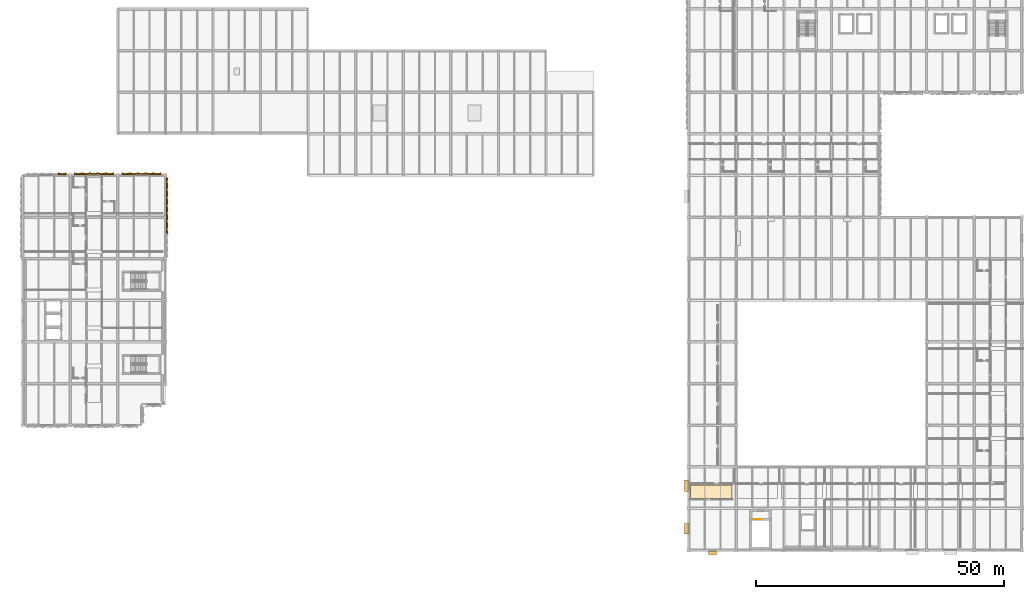
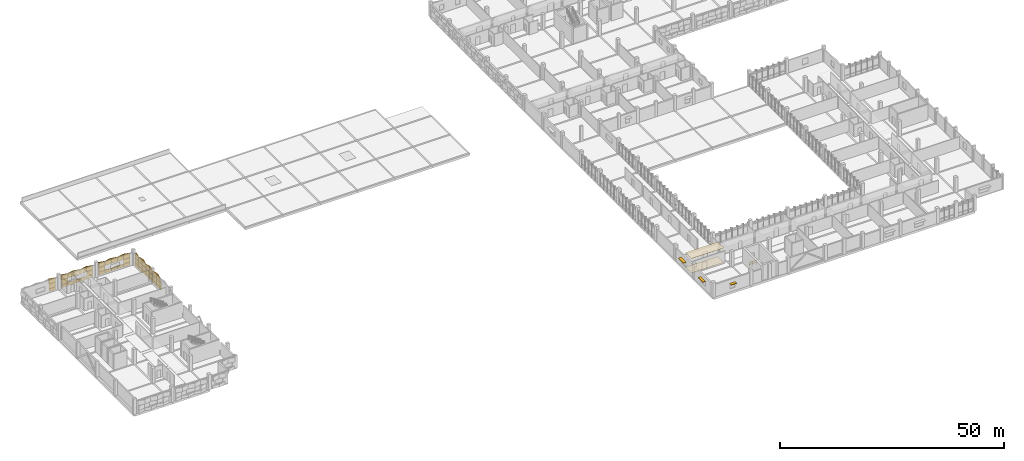
# One storey, part 51 of 57: 50 coverings, 3 shading devices, 1 railing.
"""IFC4 building model written with IfcOpenShell, lengths in metres."""

from ifc_helpers import new_model, si_unit, direction, frame, origin, origin_2d, place, context, subcontext, project, spatial, polyline, rectangle, circle, outline, extrude, material, layer, layer_set, type_object, element, save


model = new_model("IFC4")

# Units and contexts
model_context = context("Model", 3, precision=1e-05, world=origin(), true_north=direction((0.0, 1.0)))
body_context = subcontext(model_context, "Body", "Model", "MODEL_VIEW")
ifc_project = project(units=[si_unit("LENGTHUNIT", "METRE"), si_unit("AREAUNIT", "SQUARE_METRE"), si_unit("VOLUMEUNIT", "CUBIC_METRE"), si_unit("PLANEANGLEUNIT", "RADIAN"), si_unit("MASSUNIT", "GRAM", prefix="KILO")], contexts=[model_context])

# Site, building, storey
site_placement = place(None, origin())
site = spatial("IfcSite", under=ifc_project, at=site_placement, CompositionType="ELEMENT")
building_placement = place(site_placement, origin())
building = spatial("IfcBuilding", under=site, at=building_placement, Name="Oolite Switchyard Hospital", CompositionType="ELEMENT")
storey_placement = place(building_placement, frame((0.0, 0.0, 17.800048828125)))
storey = spatial("IfcBuildingStorey", under=building, at=storey_placement, Name="L04", CompositionType="ELEMENT", Elevation=17.800048828125)

# Coverings
ifc_material_1 = material(Name="Hygienic washable mineral-fibre acoustic ceiling")
ifc_layer_1 = layer(ifc_material_1, 0.0400390625)
ifc_layer_set_1 = layer_set([ifc_layer_1], Name="COV-CEIL-AC60")
covering_type_1 = type_object("IfcCoveringType", Name="COV-CEIL-AC60", PredefinedType="CEILING", material=ifc_layer_set_1)
covering_1_placement = place(storey_placement, frame((0.0, 0.0, 3.925048828125)))
element("IfcCovering", 1, at=covering_1_placement, inside=storey, type_object=covering_type_1, Name="L04 Outpatient Oncology Infusion South Corridor Ceiling 1", PredefinedType="CEILING", context=body_context, shape_type="SweptSolid", body=[
    extrude(outline(polyline([(134.800048828125, 18.85009765625), (143.14306640625, 18.85009765625), (143.14306640625, 21.550048828125), (134.800048828125, 21.550048828125), (134.800048828125, 18.85009765625)])), origin(), (0.0, 0.0, 1.0), 0.039794921875),
])
ifc_material_2 = material(Name="Precast oolitic limestone architectural concrete C40/50", Category="masonry")
covering_type_2 = type_object("IfcCoveringType", Name="COV-CHEV-WARM", PredefinedType="CLADDING", material=ifc_material_2)
covering_2_placement = place(storey_placement, frame((7.199951171875, 84.139892578125, 0.050048828125), z_axis=(0.0, 0.0, 1.0), x_axis=(1.0, 0.0, 0.0)))
element("IfcCovering", 2, at=covering_2_placement, inside=storey, type_object=covering_type_2, Name="L04 Chevron Precast Oolite Panel 673", PredefinedType="CLADDING", context=body_context, shape_type="SweptSolid", body=[
    extrude(outline(polyline([(0.0, 0.0), (1.60009765625, 0.0), (1.60009765625, 0.385009765625), (0.0, 0.044921875), (0.0, 0.0)])), origin(), (0.0, 0.0, 1.0), 0.760009765625),
])
covering_3_placement = place(storey_placement, frame((7.199951171875, 84.139892578125, 2.08984375), z_axis=(0.0, 0.0, 1.0), x_axis=(1.0, 0.0, 0.0)))
element("IfcCovering", 3, at=covering_3_placement, inside=storey, type_object=covering_type_2, Name="L04 Chevron Precast Oolite Panel 674", PredefinedType="CLADDING", context=body_context, shape_type="SweptSolid", body=[
    extrude(outline(polyline([(0.0, 0.0), (1.60009765625, 0.0), (1.60009765625, 0.044921875), (0.0, 0.385009765625), (0.0, 0.0)])), origin(), (0.0, 0.0, 1.0), 1.25),
])
covering_4_placement = place(storey_placement, frame((7.199951171875, 84.139892578125, 0.829833984375), z_axis=(0.0, 0.0, 1.0), x_axis=(1.0, 0.0, 0.0)))
element("IfcCovering", 4, at=covering_4_placement, inside=storey, type_object=covering_type_2, Name="L04 Chevron Precast Oolite Panel 675", PredefinedType="CLADDING", context=body_context, shape_type="SweptSolid", body=[
    extrude(outline(polyline([(0.0, 0.0), (1.60009765625, 0.0), (1.60009765625, 0.385009765625), (0.0, 0.044921875), (0.0, 0.0)])), origin(), (0.0, 0.0, 1.0), 1.240234375),
])
covering_5_placement = place(storey_placement, frame((10.39990234375, 84.14990234375, 0.050048828125), z_axis=(0.0, 0.0, 1.0), x_axis=(1.0, 0.0, 0.0)))
element("IfcCovering", 5, at=covering_5_placement, inside=storey, type_object=covering_type_2, Name="L04 Chevron Precast Oolite Panel 676", PredefinedType="CLADDING", context=body_context, shape_type="SweptSolid", body=[
    extrude(outline(polyline([(0.0, 0.0), (1.60009765625, 0.0), (1.60009765625, 0.385009765625), (0.0, 0.044921875), (0.0, 0.0)])), origin(), (0.0, 0.0, 1.0), 0.760009765625),
])
covering_6_placement = place(storey_placement, frame((10.39990234375, 84.14990234375, 2.08984375), z_axis=(0.0, 0.0, 1.0), x_axis=(1.0, 0.0, 0.0)))
element("IfcCovering", 6, at=covering_6_placement, inside=storey, type_object=covering_type_2, Name="L04 Chevron Precast Oolite Panel 677", PredefinedType="CLADDING", context=body_context, shape_type="SweptSolid", body=[
    extrude(outline(polyline([(0.0, 0.0), (1.60009765625, 0.0), (1.60009765625, 0.044921875), (0.0, 0.385009765625), (0.0, 0.0)])), origin(), (0.0, 0.0, 1.0), 1.25),
])
covering_7_placement = place(storey_placement, frame((10.39990234375, 84.14990234375, 0.829833984375), z_axis=(0.0, 0.0, 1.0), x_axis=(1.0, 0.0, 0.0)))
element("IfcCovering", 7, at=covering_7_placement, inside=storey, type_object=covering_type_2, Name="L04 Chevron Precast Oolite Panel 678", PredefinedType="CLADDING", context=body_context, shape_type="SweptSolid", body=[
    extrude(outline(polyline([(0.0, 0.0), (1.60009765625, 0.0), (1.60009765625, 0.385009765625), (0.0, 0.044921875), (0.0, 0.0)])), origin(), (0.0, 0.0, 1.0), 1.240234375),
])
covering_8_placement = place(storey_placement, frame((12.0, 84.14990234375, 0.050048828125), z_axis=(0.0, 0.0, 1.0), x_axis=(1.0, 0.0, 0.0)))
element("IfcCovering", 8, at=covering_8_placement, inside=storey, type_object=covering_type_2, Name="L04 Chevron Precast Oolite Panel 679", PredefinedType="CLADDING", context=body_context, shape_type="SweptSolid", body=[
    extrude(outline(polyline([(0.0, 0.0), (1.60009765625, 0.0), (1.60009765625, 0.044921875), (0.0, 0.385009765625), (0.0, 0.0)])), origin(), (0.0, 0.0, 1.0), 0.760009765625),
])
covering_9_placement = place(storey_placement, frame((12.0, 84.14990234375, 2.08984375), z_axis=(0.0, 0.0, 1.0), x_axis=(1.0, 0.0, 0.0)))
element("IfcCovering", 9, at=covering_9_placement, inside=storey, type_object=covering_type_2, Name="L04 Chevron Precast Oolite Panel 680", PredefinedType="CLADDING", context=body_context, shape_type="SweptSolid", body=[
    extrude(outline(polyline([(0.0, 0.0), (1.60009765625, 0.0), (1.60009765625, 0.385009765625), (0.0, 0.044921875), (0.0, 0.0)])), origin(), (0.0, 0.0, 1.0), 1.25),
])
covering_10_placement = place(storey_placement, frame((13.60009765625, 84.14990234375, 0.050048828125), z_axis=(0.0, 0.0, 1.0), x_axis=(1.0, 0.0, 0.0)))
element("IfcCovering", 10, at=covering_10_placement, inside=storey, type_object=covering_type_2, Name="L04 Chevron Precast Oolite Panel 681", PredefinedType="CLADDING", context=body_context, shape_type="SweptSolid", body=[
    extrude(outline(polyline([(0.0, 0.0), (1.599853515625, 0.0), (1.599853515625, 0.385009765625), (0.0, 0.044921875), (0.0, 0.0)])), origin(), (0.0, 0.0, 1.0), 0.760009765625),
])
covering_11_placement = place(storey_placement, frame((13.60009765625, 84.14990234375, 2.08984375), z_axis=(0.0, 0.0, 1.0), x_axis=(1.0, 0.0, 0.0)))
element("IfcCovering", 11, at=covering_11_placement, inside=storey, type_object=covering_type_2, Name="L04 Chevron Precast Oolite Panel 682", PredefinedType="CLADDING", context=body_context, shape_type="SweptSolid", body=[
    extrude(outline(polyline([(0.0, 0.0), (1.599853515625, 0.0), (1.599853515625, 0.044921875), (0.0, 0.385009765625), (0.0, 0.0)])), origin(), (0.0, 0.0, 1.0), 1.25),
])
covering_12_placement = place(storey_placement, frame((15.199951171875, 84.14990234375, 0.050048828125), z_axis=(0.0, 0.0, 1.0), x_axis=(1.0, 0.0, 0.0)))
element("IfcCovering", 12, at=covering_12_placement, inside=storey, type_object=covering_type_2, Name="L04 Chevron Precast Oolite Panel 683", PredefinedType="CLADDING", context=body_context, shape_type="SweptSolid", body=[
    extrude(outline(polyline([(0.0, 0.0), (1.60009765625, 0.0), (1.60009765625, 0.044921875), (0.0, 0.385009765625), (0.0, 0.0)])), origin(), (0.0, 0.0, 1.0), 0.760009765625),
])
covering_13_placement = place(storey_placement, frame((15.199951171875, 84.14990234375, 2.08984375), z_axis=(0.0, 0.0, 1.0), x_axis=(1.0, 0.0, 0.0)))
element("IfcCovering", 13, at=covering_13_placement, inside=storey, type_object=covering_type_2, Name="L04 Chevron Precast Oolite Panel 684", PredefinedType="CLADDING", context=body_context, shape_type="SweptSolid", body=[
    extrude(outline(polyline([(0.0, 0.0), (1.60009765625, 0.0), (1.60009765625, 0.385009765625), (0.0, 0.044921875), (0.0, 0.0)])), origin(), (0.0, 0.0, 1.0), 1.25),
])
covering_14_placement = place(storey_placement, frame((16.800048828125, 84.14990234375, 0.050048828125), z_axis=(0.0, 0.0, 1.0), x_axis=(1.0, 0.0, 0.0)))
element("IfcCovering", 14, at=covering_14_placement, inside=storey, type_object=covering_type_2, Name="L04 Chevron Precast Oolite Panel 685", PredefinedType="CLADDING", context=body_context, shape_type="SweptSolid", body=[
    extrude(outline(polyline([(0.0, 0.0), (1.599853515625, 0.0), (1.599853515625, 0.385009765625), (0.0, 0.044921875), (0.0, 0.0)])), origin(), (0.0, 0.0, 1.0), 0.760009765625),
])
covering_15_placement = place(storey_placement, frame((16.800048828125, 84.14990234375, 2.08984375), z_axis=(0.0, 0.0, 1.0), x_axis=(1.0, 0.0, 0.0)))
element("IfcCovering", 15, at=covering_15_placement, inside=storey, type_object=covering_type_2, Name="L04 Chevron Precast Oolite Panel 686", PredefinedType="CLADDING", context=body_context, shape_type="SweptSolid", body=[
    extrude(outline(polyline([(0.0, 0.0), (1.599853515625, 0.0), (1.599853515625, 0.044921875), (0.0, 0.385009765625), (0.0, 0.0)])), origin(), (0.0, 0.0, 1.0), 1.25),
])
covering_16_placement = place(storey_placement, frame((16.800048828125, 84.14990234375, 0.829833984375), z_axis=(0.0, 0.0, 1.0), x_axis=(1.0, 0.0, 0.0)))
element("IfcCovering", 16, at=covering_16_placement, inside=storey, type_object=covering_type_2, Name="L04 Chevron Precast Oolite Panel 687", PredefinedType="CLADDING", context=body_context, shape_type="SweptSolid", body=[
    extrude(outline(polyline([(0.0, 0.0), (1.599853515625, 0.0), (1.599853515625, 0.385009765625), (0.0, 0.044921875), (0.0, 0.0)])), origin(), (0.0, 0.0, 1.0), 1.240234375),
])
covering_17_placement = place(storey_placement, frame((20.0, 84.159912109375, 0.050048828125), z_axis=(0.0, 0.0, 1.0), x_axis=(1.0, 0.0, 0.0)))
element("IfcCovering", 17, at=covering_17_placement, inside=storey, type_object=covering_type_2, Name="L04 Chevron Precast Oolite Panel 688", PredefinedType="CLADDING", context=body_context, shape_type="SweptSolid", body=[
    extrude(outline(polyline([(0.0, 0.0), (1.60009765625, 0.0), (1.60009765625, 0.385009765625), (0.0, 0.044921875), (0.0, 0.0)])), origin(), (0.0, 0.0, 1.0), 0.760009765625),
])
covering_18_placement = place(storey_placement, frame((20.0, 84.159912109375, 2.08984375), z_axis=(0.0, 0.0, 1.0), x_axis=(1.0, 0.0, 0.0)))
element("IfcCovering", 18, at=covering_18_placement, inside=storey, type_object=covering_type_2, Name="L04 Chevron Precast Oolite Panel 689", PredefinedType="CLADDING", context=body_context, shape_type="SweptSolid", body=[
    extrude(outline(polyline([(0.0, 0.0), (1.60009765625, 0.0), (1.60009765625, 0.044921875), (0.0, 0.385009765625), (0.0, 0.0)])), origin(), (0.0, 0.0, 1.0), 1.25),
])
covering_19_placement = place(storey_placement, frame((20.0, 84.159912109375, 0.829833984375), z_axis=(0.0, 0.0, 1.0), x_axis=(1.0, 0.0, 0.0)))
element("IfcCovering", 19, at=covering_19_placement, inside=storey, type_object=covering_type_2, Name="L04 Chevron Precast Oolite Panel 690", PredefinedType="CLADDING", context=body_context, shape_type="SweptSolid", body=[
    extrude(outline(polyline([(0.0, 0.0), (1.60009765625, 0.0), (1.60009765625, 0.385009765625), (0.0, 0.044921875), (0.0, 0.0)])), origin(), (0.0, 0.0, 1.0), 1.240234375),
])
covering_20_placement = place(storey_placement, frame((21.60009765625, 84.159912109375, 0.050048828125), z_axis=(0.0, 0.0, 1.0), x_axis=(1.0, 0.0, 0.0)))
element("IfcCovering", 20, at=covering_20_placement, inside=storey, type_object=covering_type_2, Name="L04 Chevron Precast Oolite Panel 691", PredefinedType="CLADDING", context=body_context, shape_type="SweptSolid", body=[
    extrude(outline(polyline([(0.0, 0.0), (1.599853515625, 0.0), (1.599853515625, 0.044921875), (0.0, 0.385009765625), (0.0, 0.0)])), origin(), (0.0, 0.0, 1.0), 0.760009765625),
])
covering_21_placement = place(storey_placement, frame((21.60009765625, 84.159912109375, 2.08984375), z_axis=(0.0, 0.0, 1.0), x_axis=(1.0, 0.0, 0.0)))
element("IfcCovering", 21, at=covering_21_placement, inside=storey, type_object=covering_type_2, Name="L04 Chevron Precast Oolite Panel 692", PredefinedType="CLADDING", context=body_context, shape_type="SweptSolid", body=[
    extrude(outline(polyline([(0.0, 0.0), (1.599853515625, 0.0), (1.599853515625, 0.385009765625), (0.0, 0.044921875), (0.0, 0.0)])), origin(), (0.0, 0.0, 1.0), 1.25),
])
covering_22_placement = place(storey_placement, frame((23.199951171875, 84.159912109375, 0.050048828125), z_axis=(0.0, 0.0, 1.0), x_axis=(1.0, 0.0, 0.0)))
element("IfcCovering", 22, at=covering_22_placement, inside=storey, type_object=covering_type_2, Name="L04 Chevron Precast Oolite Panel 693", PredefinedType="CLADDING", context=body_context, shape_type="SweptSolid", body=[
    extrude(outline(polyline([(0.0, 0.0), (1.60009765625, 0.0), (1.60009765625, 0.385009765625), (0.0, 0.044921875), (0.0, 0.0)])), origin(), (0.0, 0.0, 1.0), 0.760009765625),
])
covering_23_placement = place(storey_placement, frame((23.199951171875, 84.159912109375, 2.08984375), z_axis=(0.0, 0.0, 1.0), x_axis=(1.0, 0.0, 0.0)))
element("IfcCovering", 23, at=covering_23_placement, inside=storey, type_object=covering_type_2, Name="L04 Chevron Precast Oolite Panel 694", PredefinedType="CLADDING", context=body_context, shape_type="SweptSolid", body=[
    extrude(outline(polyline([(0.0, 0.0), (1.60009765625, 0.0), (1.60009765625, 0.044921875), (0.0, 0.385009765625), (0.0, 0.0)])), origin(), (0.0, 0.0, 1.0), 1.25),
])
covering_24_placement = place(storey_placement, frame((24.800048828125, 84.159912109375, 0.050048828125), z_axis=(0.0, 0.0, 1.0), x_axis=(1.0, 0.0, 0.0)))
element("IfcCovering", 24, at=covering_24_placement, inside=storey, type_object=covering_type_2, Name="L04 Chevron Precast Oolite Panel 695", PredefinedType="CLADDING", context=body_context, shape_type="SweptSolid", body=[
    extrude(outline(polyline([(0.0, 0.0), (1.599853515625, 0.0), (1.599853515625, 0.044921875), (0.0, 0.385009765625), (0.0, 0.0)])), origin(), (0.0, 0.0, 1.0), 0.760009765625),
])
covering_25_placement = place(storey_placement, frame((24.800048828125, 84.159912109375, 2.08984375), z_axis=(0.0, 0.0, 1.0), x_axis=(1.0, 0.0, 0.0)))
element("IfcCovering", 25, at=covering_25_placement, inside=storey, type_object=covering_type_2, Name="L04 Chevron Precast Oolite Panel 696", PredefinedType="CLADDING", context=body_context, shape_type="SweptSolid", body=[
    extrude(outline(polyline([(0.0, 0.0), (1.599853515625, 0.0), (1.599853515625, 0.385009765625), (0.0, 0.044921875), (0.0, 0.0)])), origin(), (0.0, 0.0, 1.0), 1.25),
])
covering_26_placement = place(storey_placement, frame((26.39990234375, 84.159912109375, 0.050048828125), z_axis=(0.0, 0.0, 1.0), x_axis=(1.0, 0.0, 0.0)))
element("IfcCovering", 26, at=covering_26_placement, inside=storey, type_object=covering_type_2, Name="L04 Chevron Precast Oolite Panel 697", PredefinedType="CLADDING", context=body_context, shape_type="SweptSolid", body=[
    extrude(outline(polyline([(0.0, 0.0), (1.60009765625, 0.0), (1.60009765625, 0.385009765625), (0.0, 0.044921875), (0.0, 0.0)])), origin(), (0.0, 0.0, 1.0), 0.760009765625),
])
covering_27_placement = place(storey_placement, frame((26.39990234375, 84.159912109375, 2.08984375), z_axis=(0.0, 0.0, 1.0), x_axis=(1.0, 0.0, 0.0)))
element("IfcCovering", 27, at=covering_27_placement, inside=storey, type_object=covering_type_2, Name="L04 Chevron Precast Oolite Panel 698", PredefinedType="CLADDING", context=body_context, shape_type="SweptSolid", body=[
    extrude(outline(polyline([(0.0, 0.0), (1.60009765625, 0.0), (1.60009765625, 0.044921875), (0.0, 0.385009765625), (0.0, 0.0)])), origin(), (0.0, 0.0, 1.0), 1.25),
])
covering_28_placement = place(storey_placement, frame((26.39990234375, 84.159912109375, 0.829833984375), z_axis=(0.0, 0.0, 1.0), x_axis=(1.0, 0.0, 0.0)))
element("IfcCovering", 28, at=covering_28_placement, inside=storey, type_object=covering_type_2, Name="L04 Chevron Precast Oolite Panel 699", PredefinedType="CLADDING", context=body_context, shape_type="SweptSolid", body=[
    extrude(outline(polyline([(0.0, 0.0), (1.60009765625, 0.0), (1.60009765625, 0.385009765625), (0.0, 0.044921875), (0.0, 0.0)])), origin(), (0.0, 0.0, 1.0), 1.240234375),
])
covering_29_placement = place(storey_placement, frame((28.949951171875, 83.52001953125, 0.050048828125), z_axis=(0.0, 0.0, 1.0), x_axis=(0.0, -1.0, 0.0)))
element("IfcCovering", 29, at=covering_29_placement, inside=storey, type_object=covering_type_2, Name="L04 Chevron Precast Oolite Panel 838", PredefinedType="CLADDING", context=body_context, shape_type="SweptSolid", body=[
    extrude(outline(polyline([(0.0, 0.0), (1.60009765625, 0.0), (1.60009765625, 0.385009765625), (0.0, 0.044921875), (0.0, 0.0)])), origin(), (0.0, 0.0, 1.0), 0.760009765625),
])
covering_30_placement = place(storey_placement, frame((28.949951171875, 83.52001953125, 2.08984375), z_axis=(0.0, 0.0, 1.0), x_axis=(0.0, -1.0, 0.0)))
element("IfcCovering", 30, at=covering_30_placement, inside=storey, type_object=covering_type_2, Name="L04 Chevron Precast Oolite Panel 839", PredefinedType="CLADDING", context=body_context, shape_type="SweptSolid", body=[
    extrude(outline(polyline([(0.0, 0.0), (1.60009765625, 0.0), (1.60009765625, 0.044921875), (0.0, 0.385009765625), (0.0, 0.0)])), origin(), (0.0, 0.0, 1.0), 1.25),
])
covering_31_placement = place(storey_placement, frame((28.949951171875, 83.52001953125, 0.829833984375), z_axis=(0.0, 0.0, 1.0), x_axis=(0.0, -1.0, 0.0)))
element("IfcCovering", 31, at=covering_31_placement, inside=storey, type_object=covering_type_2, Name="L04 Chevron Precast Oolite Panel 840", PredefinedType="CLADDING", context=body_context, shape_type="SweptSolid", body=[
    extrude(outline(polyline([(0.0, 0.0), (1.60009765625, 0.0), (1.60009765625, 0.385009765625), (0.0, 0.044921875), (0.0, 0.0)])), origin(), (0.0, 0.0, 1.0), 1.240234375),
])
covering_32_placement = place(storey_placement, frame((28.949951171875, 81.919921875, 0.050048828125), z_axis=(0.0, 0.0, 1.0), x_axis=(0.0, -1.0, 0.0)))
element("IfcCovering", 32, at=covering_32_placement, inside=storey, type_object=covering_type_2, Name="L04 Chevron Precast Oolite Panel 841", PredefinedType="CLADDING", context=body_context, shape_type="SweptSolid", body=[
    extrude(outline(polyline([(0.0, 0.0), (1.599853515625, 0.0), (1.599853515625, 0.044921875), (0.0, 0.385009765625), (0.0, 0.0)])), origin(), (0.0, 0.0, 1.0), 0.760009765625),
])
covering_33_placement = place(storey_placement, frame((28.949951171875, 81.919921875, 2.08984375), z_axis=(0.0, 0.0, 1.0), x_axis=(0.0, -1.0, 0.0)))
element("IfcCovering", 33, at=covering_33_placement, inside=storey, type_object=covering_type_2, Name="L04 Chevron Precast Oolite Panel 842", PredefinedType="CLADDING", context=body_context, shape_type="SweptSolid", body=[
    extrude(outline(polyline([(0.0, 0.0), (1.599853515625, 0.0), (1.599853515625, 0.385009765625), (0.0, 0.044921875), (0.0, 0.0)])), origin(), (0.0, 0.0, 1.0), 1.25),
])
covering_34_placement = place(storey_placement, frame((28.949951171875, 81.919921875, 0.829833984375), z_axis=(0.0, 0.0, 1.0), x_axis=(0.0, -1.0, 0.0)))
element("IfcCovering", 34, at=covering_34_placement, inside=storey, type_object=covering_type_2, Name="L04 Chevron Precast Oolite Panel 843", PredefinedType="CLADDING", context=body_context, shape_type="SweptSolid", body=[
    extrude(outline(polyline([(0.0, 0.0), (1.599853515625, 0.0), (1.599853515625, 0.044921875), (0.0, 0.385009765625), (0.0, 0.0)])), origin(), (0.0, 0.0, 1.0), 1.240234375),
])
covering_35_placement = place(storey_placement, frame((28.949951171875, 80.320068359375, 0.050048828125), z_axis=(0.0, 0.0, 1.0), x_axis=(0.0, -1.0, 0.0)))
element("IfcCovering", 35, at=covering_35_placement, inside=storey, type_object=covering_type_2, Name="L04 Chevron Precast Oolite Panel 844", PredefinedType="CLADDING", context=body_context, shape_type="SweptSolid", body=[
    extrude(outline(polyline([(0.0, 0.0), (1.60009765625, 0.0), (1.60009765625, 0.385009765625), (0.0, 0.044921875), (0.0, 0.0)])), origin(), (0.0, 0.0, 1.0), 0.760009765625),
])
covering_36_placement = place(storey_placement, frame((28.949951171875, 80.320068359375, 2.08984375), z_axis=(0.0, 0.0, 1.0), x_axis=(0.0, -1.0, 0.0)))
element("IfcCovering", 36, at=covering_36_placement, inside=storey, type_object=covering_type_2, Name="L04 Chevron Precast Oolite Panel 845", PredefinedType="CLADDING", context=body_context, shape_type="SweptSolid", body=[
    extrude(outline(polyline([(0.0, 0.0), (1.60009765625, 0.0), (1.60009765625, 0.044921875), (0.0, 0.385009765625), (0.0, 0.0)])), origin(), (0.0, 0.0, 1.0), 1.25),
])
covering_37_placement = place(storey_placement, frame((28.949951171875, 80.320068359375, 0.829833984375), z_axis=(0.0, 0.0, 1.0), x_axis=(0.0, -1.0, 0.0)))
element("IfcCovering", 37, at=covering_37_placement, inside=storey, type_object=covering_type_2, Name="L04 Chevron Precast Oolite Panel 846", PredefinedType="CLADDING", context=body_context, shape_type="SweptSolid", body=[
    extrude(outline(polyline([(0.0, 0.0), (1.60009765625, 0.0), (1.60009765625, 0.385009765625), (0.0, 0.044921875), (0.0, 0.0)])), origin(), (0.0, 0.0, 1.0), 1.240234375),
])
covering_38_placement = place(storey_placement, frame((28.949951171875, 78.719970703125, 0.050048828125), z_axis=(0.0, 0.0, 1.0), x_axis=(0.0, -1.0, 0.0)))
element("IfcCovering", 38, at=covering_38_placement, inside=storey, type_object=covering_type_2, Name="L04 Chevron Precast Oolite Panel 847", PredefinedType="CLADDING", context=body_context, shape_type="SweptSolid", body=[
    extrude(outline(polyline([(0.0, 0.0), (1.599853515625, 0.0), (1.599853515625, 0.044921875), (0.0, 0.385009765625), (0.0, 0.0)])), origin(), (0.0, 0.0, 1.0), 0.760009765625),
])
covering_39_placement = place(storey_placement, frame((28.949951171875, 78.719970703125, 2.08984375), z_axis=(0.0, 0.0, 1.0), x_axis=(0.0, -1.0, 0.0)))
element("IfcCovering", 39, at=covering_39_placement, inside=storey, type_object=covering_type_2, Name="L04 Chevron Precast Oolite Panel 848", PredefinedType="CLADDING", context=body_context, shape_type="SweptSolid", body=[
    extrude(outline(polyline([(0.0, 0.0), (1.599853515625, 0.0), (1.599853515625, 0.385009765625), (0.0, 0.044921875), (0.0, 0.0)])), origin(), (0.0, 0.0, 1.0), 1.25),
])
covering_40_placement = place(storey_placement, frame((28.949951171875, 78.719970703125, 0.829833984375), z_axis=(0.0, 0.0, 1.0), x_axis=(0.0, -1.0, 0.0)))
element("IfcCovering", 40, at=covering_40_placement, inside=storey, type_object=covering_type_2, Name="L04 Chevron Precast Oolite Panel 849", PredefinedType="CLADDING", context=body_context, shape_type="SweptSolid", body=[
    extrude(outline(polyline([(0.0, 0.0), (1.599853515625, 0.0), (1.599853515625, 0.044921875), (0.0, 0.385009765625), (0.0, 0.0)])), origin(), (0.0, 0.0, 1.0), 1.240234375),
])
covering_41_placement = place(storey_placement, frame((28.949951171875, 77.1201171875, 0.050048828125), z_axis=(0.0, 0.0, 1.0), x_axis=(0.0, -1.0, 0.0)))
element("IfcCovering", 41, at=covering_41_placement, inside=storey, type_object=covering_type_2, Name="L04 Chevron Precast Oolite Panel 850", PredefinedType="CLADDING", context=body_context, shape_type="SweptSolid", body=[
    extrude(outline(polyline([(0.0, 0.0), (1.60009765625, 0.0), (1.60009765625, 0.385009765625), (0.0, 0.044921875), (0.0, 0.0)])), origin(), (0.0, 0.0, 1.0), 0.760009765625),
])
covering_42_placement = place(storey_placement, frame((28.949951171875, 77.1201171875, 2.08984375), z_axis=(0.0, 0.0, 1.0), x_axis=(0.0, -1.0, 0.0)))
element("IfcCovering", 42, at=covering_42_placement, inside=storey, type_object=covering_type_2, Name="L04 Chevron Precast Oolite Panel 851", PredefinedType="CLADDING", context=body_context, shape_type="SweptSolid", body=[
    extrude(outline(polyline([(0.0, 0.0), (1.60009765625, 0.0), (1.60009765625, 0.044921875), (0.0, 0.385009765625), (0.0, 0.0)])), origin(), (0.0, 0.0, 1.0), 1.25),
])
covering_43_placement = place(storey_placement, frame((28.949951171875, 77.1201171875, 0.829833984375), z_axis=(0.0, 0.0, 1.0), x_axis=(0.0, -1.0, 0.0)))
element("IfcCovering", 43, at=covering_43_placement, inside=storey, type_object=covering_type_2, Name="L04 Chevron Precast Oolite Panel 852", PredefinedType="CLADDING", context=body_context, shape_type="SweptSolid", body=[
    extrude(outline(polyline([(0.0, 0.0), (1.60009765625, 0.0), (1.60009765625, 0.385009765625), (0.0, 0.044921875), (0.0, 0.0)])), origin(), (0.0, 0.0, 1.0), 1.240234375),
])
covering_44_placement = place(storey_placement, frame((28.949951171875, 75.52001953125, 0.050048828125), z_axis=(0.0, 0.0, 1.0), x_axis=(0.0, -1.0, 0.0)))
element("IfcCovering", 44, at=covering_44_placement, inside=storey, type_object=covering_type_2, Name="L04 Chevron Precast Oolite Panel 853", PredefinedType="CLADDING", context=body_context, shape_type="SweptSolid", body=[
    extrude(outline(polyline([(0.0, 0.0), (1.60009765625, 0.0), (1.60009765625, 0.044921875), (0.0, 0.385009765625), (0.0, 0.0)])), origin(), (0.0, 0.0, 1.0), 0.760009765625),
])
covering_45_placement = place(storey_placement, frame((28.949951171875, 75.52001953125, 2.08984375), z_axis=(0.0, 0.0, 1.0), x_axis=(0.0, -1.0, 0.0)))
element("IfcCovering", 45, at=covering_45_placement, inside=storey, type_object=covering_type_2, Name="L04 Chevron Precast Oolite Panel 854", PredefinedType="CLADDING", context=body_context, shape_type="SweptSolid", body=[
    extrude(outline(polyline([(0.0, 0.0), (1.60009765625, 0.0), (1.60009765625, 0.385009765625), (0.0, 0.044921875), (0.0, 0.0)])), origin(), (0.0, 0.0, 1.0), 1.25),
])
covering_46_placement = place(storey_placement, frame((28.949951171875, 75.52001953125, 0.829833984375), z_axis=(0.0, 0.0, 1.0), x_axis=(0.0, -1.0, 0.0)))
element("IfcCovering", 46, at=covering_46_placement, inside=storey, type_object=covering_type_2, Name="L04 Chevron Precast Oolite Panel 855", PredefinedType="CLADDING", context=body_context, shape_type="SweptSolid", body=[
    extrude(outline(polyline([(0.0, 0.0), (1.60009765625, 0.0), (1.60009765625, 0.044921875), (0.0, 0.385009765625), (0.0, 0.0)])), origin(), (0.0, 0.0, 1.0), 1.240234375),
])
covering_47_placement = place(storey_placement, frame((28.949951171875, 73.919921875, 0.050048828125), z_axis=(0.0, 0.0, 1.0), x_axis=(0.0, -1.0, 0.0)))
element("IfcCovering", 47, at=covering_47_placement, inside=storey, type_object=covering_type_2, Name="L04 Chevron Precast Oolite Panel 856", PredefinedType="CLADDING", context=body_context, shape_type="SweptSolid", body=[
    extrude(outline(polyline([(0.0, 0.0), (1.599853515625, 0.0), (1.599853515625, 0.385009765625), (0.0, 0.044921875), (0.0, 0.0)])), origin(), (0.0, 0.0, 1.0), 0.760009765625),
])
covering_48_placement = place(storey_placement, frame((28.949951171875, 73.919921875, 2.08984375), z_axis=(0.0, 0.0, 1.0), x_axis=(0.0, -1.0, 0.0)))
element("IfcCovering", 48, at=covering_48_placement, inside=storey, type_object=covering_type_2, Name="L04 Chevron Precast Oolite Panel 857", PredefinedType="CLADDING", context=body_context, shape_type="SweptSolid", body=[
    extrude(outline(polyline([(0.0, 0.0), (1.599853515625, 0.0), (1.599853515625, 0.044921875), (0.0, 0.385009765625), (0.0, 0.0)])), origin(), (0.0, 0.0, 1.0), 1.25),
])
covering_49_placement = place(storey_placement, frame((28.949951171875, 73.919921875, 0.829833984375), z_axis=(0.0, 0.0, 1.0), x_axis=(0.0, -1.0, 0.0)))
element("IfcCovering", 49, at=covering_49_placement, inside=storey, type_object=covering_type_2, Name="L04 Chevron Precast Oolite Panel 858", PredefinedType="CLADDING", context=body_context, shape_type="SweptSolid", body=[
    extrude(outline(polyline([(0.0, 0.0), (1.599853515625, 0.0), (1.599853515625, 0.385009765625), (0.0, 0.044921875), (0.0, 0.0)])), origin(), (0.0, 0.0, 1.0), 1.240234375),
])
ifc_material_3 = material(Name="Epoxy terrazzo seamless clinical flooring")
ifc_layer_2 = layer(ifc_material_3, 0.02001953125)
ifc_layer_set_2 = layer_set([ifc_layer_2], Name="COV-FLR-TER20")
covering_type_3 = type_object("IfcCoveringType", Name="COV-FLR-TER20", PredefinedType="FLOORING", material=ifc_layer_set_2)
covering_50_placement = place(storey_placement, origin())
element("IfcCovering", 50, at=covering_50_placement, inside=storey, type_object=covering_type_3, Name="L04 Outpatient Oncology Infusion South Corridor Flooring 1", PredefinedType="FLOORING", context=body_context, shape_type="SweptSolid", body=[
    extrude(outline(polyline([(134.800048828125, 18.85009765625), (143.14306640625, 18.85009765625), (143.14306640625, 21.550048828125), (134.800048828125, 21.550048828125), (134.800048828125, 18.85009765625)])), origin(), (0.0, 0.0, 1.0), 0.02001953125),
])

# Railing
ifc_material_4 = material(Name="Galvanized painted architectural steel handrail", Category="steel")
railing_type = type_object("IfcRailingType", Name="RL-STAIR-GRD", PredefinedType="GUARDRAIL", material=ifc_material_4)
railing_placement = place(storey_placement, frame((147.199951171875, 14.639892578125, 0.0)))
element("IfcRailing", 51, at=railing_placement, inside=storey, type_object=railing_type, Name="L04 ST-05 top well guard 1", PredefinedType="GUARDRAIL", context=body_context, shape_type="SweptSolid", body=[
    extrude(circle(Radius=0.02392578125, at=origin_2d()), frame((0.0, 0.0, 1.076171875), z_axis=(1.0, 0.0, 0.0), x_axis=(0.0, 1.0, 0.0)), (0.0, 0.0, 1.0), 1.800048828125),
    extrude(circle(Radius=0.015625, at=origin_2d()), frame((0.0, 0.0, 0.550048828125), z_axis=(1.0, 0.0, 0.0), x_axis=(0.0, 1.0, 0.0)), (0.0, 0.0, 1.0), 1.800048828125),
    extrude(circle(Radius=0.02099609375, at=origin_2d()), origin(), (0.0, 0.0, 1.0), 1.052001953125),
    extrude(circle(Radius=0.02099609375, at=origin_2d()), frame((0.89990234375, 0.0, 0.0)), (0.0, 0.0, 1.0), 1.052001953125),
    extrude(circle(Radius=0.02099609375, at=origin_2d()), frame((1.800048828125, 0.0, 0.0)), (0.0, 0.0, 1.0), 1.052001953125),
])

# Shading devices
ifc_layer_3 = layer(ifc_material_2, 0.1201171875)
ifc_layer_set_3 = layer_set([ifc_layer_3], Name="SHD-BRISE-900")
shading_device_type = type_object("IfcShadingDeviceType", Name="SHD-BRISE-900", PredefinedType="AWNING", material=ifc_layer_set_3)
shading_device_1_placement = place(storey_placement, frame((139.199951171875, 7.860107421875, 2.260009765625), z_axis=(0.0, 0.0, 1.0), x_axis=(1.0, 0.0, 0.0)))
element("IfcShadingDevice", 52, at=shading_device_1_placement, inside=storey, type_object=shading_device_type, Name="L04 Classical Brise-Soleil Sunshade 45", PredefinedType="AWNING", context=body_context, shape_type="SweptSolid", body=[
    extrude(rectangle(XDim=1.5400390625, YDim=0.699951171875, at=origin_2d()), origin(), (0.0, 0.0, 1.0), 0.1201171875),
])
shading_device_2_placement = place(storey_placement, frame((133.889892578125, 12.679931640625, 2.260009765625), z_axis=(0.0, 0.0, 1.0), x_axis=(0.0, 1.0, 0.0)))
element("IfcShadingDevice", 53, at=shading_device_2_placement, inside=storey, type_object=shading_device_type, Name="L04 Classical Brise-Soleil Sunshade 51", PredefinedType="AWNING", context=body_context, shape_type="SweptSolid", body=[
    extrude(rectangle(XDim=2.139892578125, YDim=0.699951171875, at=origin_2d()), origin(), (0.0, 0.0, 1.0), 0.1201171875),
])
shading_device_3_placement = place(storey_placement, frame((133.8798828125, 21.364990234375, 2.260009765625), z_axis=(0.0, 0.0, 1.0), x_axis=(0.0, 1.0, 0.0)))
element("IfcShadingDevice", 54, at=shading_device_3_placement, inside=storey, type_object=shading_device_type, Name="L04 Classical Brise-Soleil Sunshade 52", PredefinedType="AWNING", context=body_context, shape_type="SweptSolid", body=[
    extrude(rectangle(XDim=2.2900390625, YDim=0.699951171875, at=origin_2d()), origin(), (0.0, 0.0, 1.0), 0.1201171875),
])

save(model, "model.ifc")
